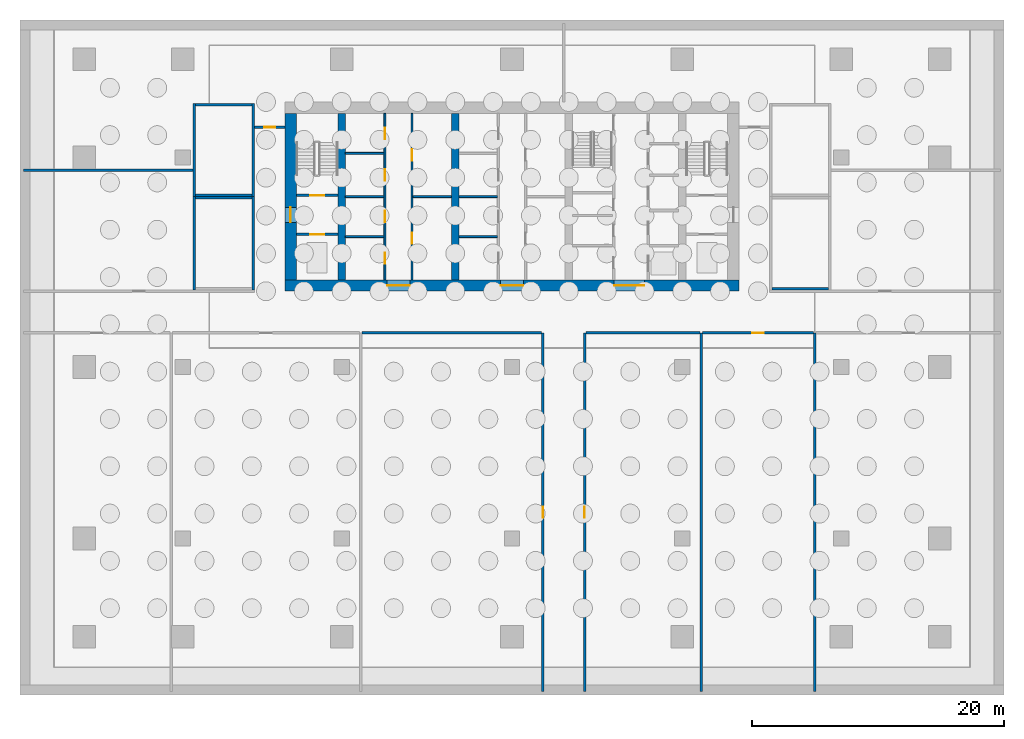
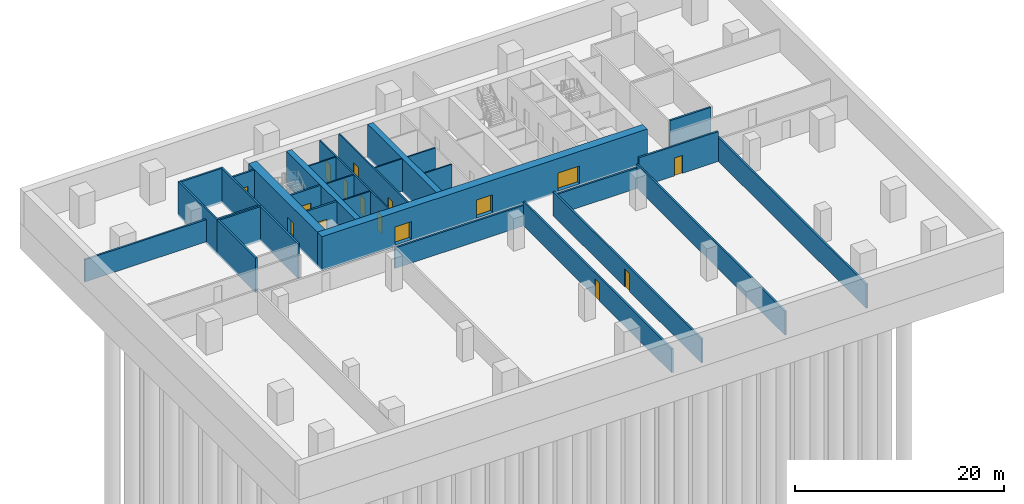
# One storey, part 5 of 10: 31 walls, 16 doors, 16 openings.
"""IFC4 building model written with IfcOpenShell, lengths in metres."""

from ifc_helpers import new_model, si_unit, direction, frame, frame_2d, origin, place, context, subcontext, project, spatial, rectangle, extrude, material, layer, layer_set, type_object, element, fill, save


model = new_model("IFC4")

# Units and contexts
model_context = context("Model", 3, precision=1e-05, world=origin(), true_north=direction((0.0, 1.0)))
body_context = subcontext(model_context, "Body", "Model", "MODEL_VIEW")
ifc_project = project(units=[si_unit("LENGTHUNIT", "METRE"), si_unit("AREAUNIT", "SQUARE_METRE"), si_unit("VOLUMEUNIT", "CUBIC_METRE"), si_unit("PLANEANGLEUNIT", "RADIAN"), si_unit("MASSUNIT", "GRAM", prefix="KILO")], contexts=[model_context])

# Site, building, storey
site_placement = place(None, origin())
site = spatial("IfcSite", under=ifc_project, at=site_placement, CompositionType="ELEMENT")
building_placement = place(site_placement, origin())
building = spatial("IfcBuilding", under=site, at=building_placement, Name="Rattan Terrace Tower", CompositionType="ELEMENT")
storey_placement = place(building_placement, frame((0.0, 0.0, -13.5)))
storey = spatial("IfcBuildingStorey", under=building, at=storey_placement, Name="B3", CompositionType="ELEMENT", Elevation=-13.5)

# Wall, openings, doors
ifc_material_1 = material(Name="Gypsum board partition")
ifc_layer_1 = layer(ifc_material_1, 0.14990234375)
ifc_layer_set_1 = layer_set([ifc_layer_1], Name="Core partition 150")
wall_type_1 = type_object("IfcWallType", Name="Core partition 150", PredefinedType="PARTITIONING", material=ifc_layer_set_1)
wall_1_placement = place(storey_placement, frame((-10.074951171875, -6.60009765625, 0.0), z_axis=(0.0, 0.0, 1.0), x_axis=(0.0, 1.0, 0.0)))
wall_1 = element("IfcWall", 1, at=wall_1_placement, inside=storey, type_object=wall_type_1, Name="Core room wall", PredefinedType="PARTITIONING", context=body_context, shape_type="SweptSolid", body=[
    extrude(rectangle(XDim=13.2001953125, YDim=0.14990234375, at=frame_2d((6.60009765625, 0.0))), origin(), (0.0, 0.0, 1.0), 3.800048828125),
])
opening_1_placement = place(wall_1_placement, frame((1.26611328125, 0.0, 0.0)))
opening_1 = element("IfcOpeningElement", 2, at=opening_1_placement, cuts=wall_1, Name="Opening B3-D005", PredefinedType="OPENING", context=body_context, shape_type="SweptSolid", body=[
    extrude(rectangle(XDim=0.89990234375, YDim=2.10009765625, at=frame_2d((0.449951171875, 1.050048828125))), frame((0.0, 0.08544921875, 0.0), z_axis=(0.0, -1.0, 0.0), x_axis=(1.0, 0.0, 0.0)), (0.0, 0.0, 1.0), 0.1708984375),
])
opening_2_placement = place(wall_1_placement, frame((4.56591796875, 0.0, 0.0)))
opening_2 = element("IfcOpeningElement", 3, at=opening_2_placement, cuts=wall_1, Name="Opening B3-D006", PredefinedType="OPENING", context=body_context, shape_type="SweptSolid", body=[
    extrude(rectangle(XDim=0.89990234375, YDim=2.10009765625, at=frame_2d((0.449951171875, 1.050048828125))), frame((0.0, 0.08544921875, 0.0), z_axis=(0.0, -1.0, 0.0), x_axis=(1.0, 0.0, 0.0)), (0.0, 0.0, 1.0), 0.1708984375),
])
opening_3_placement = place(wall_1_placement, frame((7.865966796875, 0.0, 0.0)))
opening_3 = element("IfcOpeningElement", 4, at=opening_3_placement, cuts=wall_1, Name="Opening B3-D007", PredefinedType="OPENING", context=body_context, shape_type="SweptSolid", body=[
    extrude(rectangle(XDim=0.89990234375, YDim=2.10009765625, at=frame_2d((0.449951171875, 1.050048828125))), frame((0.0, 0.08544921875, 0.0), z_axis=(0.0, -1.0, 0.0), x_axis=(1.0, 0.0, 0.0)), (0.0, 0.0, 1.0), 0.1708984375),
])
opening_4_placement = place(wall_1_placement, frame((11.166015625, 0.0, 0.0)))
opening_4 = element("IfcOpeningElement", 5, at=opening_4_placement, cuts=wall_1, Name="Opening B3-D008", PredefinedType="OPENING", context=body_context, shape_type="SweptSolid", body=[
    extrude(rectangle(XDim=0.89990234375, YDim=2.10009765625, at=frame_2d((0.449951171875, 1.050048828125))), frame((0.0, 0.08544921875, 0.0), z_axis=(0.0, -1.0, 0.0), x_axis=(1.0, 0.0, 0.0)), (0.0, 0.0, 1.0), 0.1708984375),
])
ifc_material_2 = material(Name="Hollow-metal fire door leaf")
door_type_1 = type_object("IfcDoorType", Name="Core service room door 900", OperationType="NOTDEFINED", PredefinedType="DOOR", material=ifc_material_2)
door_1_placement = place(opening_1_placement, origin())
door_1 = element("IfcDoor", 6, at=door_1_placement, inside=storey, type_object=door_type_1, Name="Door B3-D005", OperationType="SINGLE_SWING_LEFT", OverallHeight=2.10009765625, OverallWidth=0.89990234375, PredefinedType="DOOR", context=body_context, shape_type="SweptSolid", body=[
    extrude(rectangle(XDim=0.89990234375, YDim=2.10009765625, at=frame_2d((0.449951171875, 1.050048828125))), frame((0.0, 0.02490234375, 0.0), z_axis=(0.0, -1.0, 0.0), x_axis=(1.0, 0.0, 0.0)), (0.0, 0.0, 1.0), 0.050048828125),
])
fill(opening_1, door_1)
door_2_placement = place(opening_2_placement, origin())
door_2 = element("IfcDoor", 7, at=door_2_placement, inside=storey, type_object=door_type_1, Name="Door B3-D006", OperationType="SINGLE_SWING_RIGHT", OverallHeight=2.10009765625, OverallWidth=0.89990234375, PredefinedType="DOOR", context=body_context, shape_type="SweptSolid", body=[
    extrude(rectangle(XDim=0.89990234375, YDim=2.10009765625, at=frame_2d((0.449951171875, 1.050048828125))), frame((0.0, 0.02490234375, 0.0), z_axis=(0.0, -1.0, 0.0), x_axis=(1.0, 0.0, 0.0)), (0.0, 0.0, 1.0), 0.050048828125),
])
fill(opening_2, door_2)
door_3_placement = place(opening_3_placement, origin())
door_3 = element("IfcDoor", 8, at=door_3_placement, inside=storey, type_object=door_type_1, Name="Door B3-D007", OperationType="SINGLE_SWING_LEFT", OverallHeight=2.10009765625, OverallWidth=0.89990234375, PredefinedType="DOOR", context=body_context, shape_type="SweptSolid", body=[
    extrude(rectangle(XDim=0.89990234375, YDim=2.10009765625, at=frame_2d((0.449951171875, 1.050048828125))), frame((0.0, 0.02490234375, 0.0), z_axis=(0.0, -1.0, 0.0), x_axis=(1.0, 0.0, 0.0)), (0.0, 0.0, 1.0), 0.050048828125),
])
fill(opening_3, door_3)
door_4_placement = place(opening_4_placement, origin())
door_4 = element("IfcDoor", 9, at=door_4_placement, inside=storey, type_object=door_type_1, Name="Door B3-D008", OperationType="SINGLE_SWING_RIGHT", OverallHeight=2.10009765625, OverallWidth=0.89990234375, PredefinedType="DOOR", context=body_context, shape_type="SweptSolid", body=[
    extrude(rectangle(XDim=0.89990234375, YDim=2.10009765625, at=frame_2d((0.449951171875, 1.050048828125))), frame((0.0, 0.02490234375, 0.0), z_axis=(0.0, -1.0, 0.0), x_axis=(1.0, 0.0, 0.0)), (0.0, 0.0, 1.0), 0.050048828125),
])
fill(opening_4, door_4)

# Walls
for number, where, z_axis, x_axis, name in (
    (10, (-13.199951171875, -3.16796875, 0.0), (0.0, 0.0, 1.0), (1.0, 0.0, 0.0), "Core room wall"),
    (11, (-13.199951171875, 0.0, 0.0), (0.0, 0.0, 1.0), (1.0, 0.0, 0.0), "Core room wall"),
    (12, (-13.199951171875, 3.431884765625, 0.0), (0.0, 0.0, 1.0), (1.0, 0.0, 0.0), "Core room wall"),
):
    element("IfcWall", number, at=place(storey_placement, frame(where, z_axis=z_axis, x_axis=x_axis)), inside=storey, type_object=wall_type_1, Name=name, PredefinedType="PARTITIONING", context=body_context, shape_type="SweptSolid", body=[
        extrude(rectangle(XDim=3.050048828125, YDim=0.14990234375, at=frame_2d((1.52490234375, 0.0))), origin(), (0.0, 0.0, 1.0), 3.800048828125),
    ])

# Wall, openings, doors
wall_2_placement = place(storey_placement, frame((-7.925048828125, -6.60009765625, 0.0), z_axis=(0.0, 0.0, 1.0), x_axis=(0.0, 1.0, 0.0)))
wall_2 = element("IfcWall", 13, at=wall_2_placement, inside=storey, type_object=wall_type_1, Name="Core room wall", PredefinedType="PARTITIONING", context=body_context, shape_type="SweptSolid", body=[
    extrude(rectangle(XDim=13.2001953125, YDim=0.14990234375, at=frame_2d((6.60009765625, 0.0))), origin(), (0.0, 0.0, 1.0), 3.800048828125),
])
opening_5_placement = place(wall_2_placement, frame((2.85009765625, 0.0, 0.0)))
opening_5 = element("IfcOpeningElement", 14, at=opening_5_placement, cuts=wall_2, Name="Opening B3-D009", PredefinedType="OPENING", context=body_context, shape_type="SweptSolid", body=[
    extrude(rectangle(XDim=0.89990234375, YDim=2.10009765625, at=frame_2d((0.449951171875, 1.050048828125))), frame((0.0, 0.08544921875, 0.0), z_axis=(0.0, -1.0, 0.0), x_axis=(1.0, 0.0, 0.0)), (0.0, 0.0, 1.0), 0.1708984375),
])
opening_6_placement = place(wall_2_placement, frame((9.449951171875, 0.0, 0.0)))
opening_6 = element("IfcOpeningElement", 15, at=opening_6_placement, cuts=wall_2, Name="Opening B3-D010", PredefinedType="OPENING", context=body_context, shape_type="SweptSolid", body=[
    extrude(rectangle(XDim=0.89990234375, YDim=2.10009765625, at=frame_2d((0.449951171875, 1.050048828125))), frame((0.0, 0.08544921875, 0.0), z_axis=(0.0, -1.0, 0.0), x_axis=(1.0, 0.0, 0.0)), (0.0, 0.0, 1.0), 0.1708984375),
])
door_5_placement = place(opening_5_placement, origin())
door_5 = element("IfcDoor", 16, at=door_5_placement, inside=storey, type_object=door_type_1, Name="Door B3-D009", OperationType="SINGLE_SWING_LEFT", OverallHeight=2.10009765625, OverallWidth=0.89990234375, PredefinedType="DOOR", context=body_context, shape_type="SweptSolid", body=[
    extrude(rectangle(XDim=0.89990234375, YDim=2.10009765625, at=frame_2d((0.449951171875, 1.050048828125))), frame((0.0, 0.02490234375, 0.0), z_axis=(0.0, -1.0, 0.0), x_axis=(1.0, 0.0, 0.0)), (0.0, 0.0, 1.0), 0.050048828125),
])
fill(opening_5, door_5)
door_6_placement = place(opening_6_placement, origin())
door_6 = element("IfcDoor", 17, at=door_6_placement, inside=storey, type_object=door_type_1, Name="Door B3-D010", OperationType="SINGLE_SWING_RIGHT", OverallHeight=2.10009765625, OverallWidth=0.89990234375, PredefinedType="DOOR", context=body_context, shape_type="SweptSolid", body=[
    extrude(rectangle(XDim=0.89990234375, YDim=2.10009765625, at=frame_2d((0.449951171875, 1.050048828125))), frame((0.0, 0.02490234375, 0.0), z_axis=(0.0, -1.0, 0.0), x_axis=(1.0, 0.0, 0.0)), (0.0, 0.0, 1.0), 0.050048828125),
])
fill(opening_6, door_6)

# Walls
for number, where, z_axis, x_axis, name in (
    (18, (-7.85009765625, 0.0, 0.0), (0.0, 0.0, 1.0), (1.0, 0.0, 0.0), "Core room wall"),
    (19, (-4.199951171875, -3.16796875, 0.0), (0.0, 0.0, 1.0), (1.0, 0.0, 0.0), "Core room wall"),
    (20, (-4.199951171875, 0.0, 0.0), (0.0, 0.0, 1.0), (1.0, 0.0, 0.0), "Core room wall"),
):
    element("IfcWall", number, at=place(storey_placement, frame(where, z_axis=z_axis, x_axis=x_axis)), inside=storey, type_object=wall_type_1, Name=name, PredefinedType="PARTITIONING", context=body_context, shape_type="SweptSolid", body=[
        extrude(rectangle(XDim=3.050048828125, YDim=0.14990234375, at=frame_2d((1.52490234375, 0.0))), origin(), (0.0, 0.0, 1.0), 3.800048828125),
    ])

# Wall, opening, door
ifc_material_3 = material(Name="Gypsum board partition")
ifc_layer_2 = layer(ifc_material_3, 0.199951171875)
ifc_layer_set_2 = layer_set([ifc_layer_2], Name="Core partition 200")
wall_type_2 = type_object("IfcWallType", Name="Core partition 200", PredefinedType="PARTITIONING", material=ifc_layer_set_2)
wall_3_placement = place(storey_placement, frame((-17.10009765625, -3.0, 0.0), z_axis=(0.0, 0.0, 1.0), x_axis=(1.0, 0.0, 0.0)))
wall_3 = element("IfcWall", 21, at=wall_3_placement, inside=storey, type_object=wall_type_2, Name="Fire-fighting lobby wall", PredefinedType="PARTITIONING", context=body_context, shape_type="SweptSolid", body=[
    extrude(rectangle(XDim=3.300048828125, YDim=0.199951171875, at=frame_2d((1.64990234375, 0.0))), origin(), (0.0, 0.0, 1.0), 3.800048828125),
])
opening_7_placement = place(wall_3_placement, frame((1.10009765625, 0.0, 0.0)))
opening_7 = element("IfcOpeningElement", 22, at=opening_7_placement, cuts=wall_3, Name="Opening B3-LD-FF1", PredefinedType="OPENING", context=body_context, shape_type="SweptSolid", body=[
    extrude(rectangle(XDim=1.10009765625, YDim=2.10009765625, at=frame_2d((0.550048828125, 1.050048828125))), frame((0.0, 0.110595703125, 0.0), z_axis=(0.0, -1.0, 0.0), x_axis=(1.0, 0.0, 0.0)), (0.0, 0.0, 1.0), 0.220947265625),
])
ifc_material_4 = material(Name="Brushed stainless landing door panel")
door_type_2 = type_object("IfcDoorType", Name="Core lift landing door 1100", OperationType="DOUBLE_DOOR_SLIDING", PredefinedType="DOOR", material=ifc_material_4)
door_7_placement = place(opening_7_placement, origin())
door_7 = element("IfcDoor", 23, at=door_7_placement, inside=storey, type_object=door_type_2, Name="Door B3-LD-FF1", OperationType="DOUBLE_DOOR_SLIDING", OverallHeight=2.10009765625, OverallWidth=1.10009765625, PredefinedType="DOOR", context=body_context, shape_type="SweptSolid", body=[
    extrude(rectangle(XDim=1.10009765625, YDim=2.10009765625, at=frame_2d((0.550048828125, 1.050048828125))), frame((0.0, 0.02490234375, 0.0), z_axis=(0.0, -1.0, 0.0), x_axis=(1.0, 0.0, 0.0)), (0.0, 0.0, 1.0), 0.050048828125),
])
fill(opening_7, door_7)

wall_4_placement = place(storey_placement, frame((-17.10009765625, 0.10009765625, 0.0), z_axis=(0.0, 0.0, 1.0), x_axis=(1.0, 0.0, 0.0)))
wall_4 = element("IfcWall", 24, at=wall_4_placement, inside=storey, type_object=wall_type_2, Name="Stair enclosure wall", PredefinedType="PARTITIONING", context=body_context, shape_type="SweptSolid", body=[
    extrude(rectangle(XDim=3.300048828125, YDim=0.199951171875, at=frame_2d((1.64990234375, 0.0))), origin(), (0.0, 0.0, 1.0), 3.800048828125),
])
opening_8_placement = place(wall_4_placement, frame((1.10009765625, 0.0, 0.0)))
opening_8 = element("IfcOpeningElement", 25, at=opening_8_placement, cuts=wall_4, Name="Opening B3-D002", PredefinedType="OPENING", context=body_context, shape_type="SweptSolid", body=[
    extrude(rectangle(XDim=1.10009765625, YDim=2.10009765625, at=frame_2d((0.550048828125, 1.050048828125))), frame((0.0, 0.110595703125, 0.0), z_axis=(0.0, -1.0, 0.0), x_axis=(1.0, 0.0, 0.0)), (0.0, 0.0, 1.0), 0.220947265625),
])
ifc_material_5 = material(Name="Hollow-metal fire door leaf")
door_type_3 = type_object("IfcDoorType", Name="Core stair door 1100", OperationType="NOTDEFINED", PredefinedType="DOOR", material=ifc_material_5)
door_8_placement = place(opening_8_placement, origin())
door_8 = element("IfcDoor", 26, at=door_8_placement, inside=storey, type_object=door_type_3, Name="Door B3-D002", OperationType="SINGLE_SWING_RIGHT", OverallHeight=2.10009765625, OverallWidth=1.10009765625, PredefinedType="DOOR", context=body_context, shape_type="SweptSolid", body=[
    extrude(rectangle(XDim=1.10009765625, YDim=2.10009765625, at=frame_2d((0.550048828125, 1.050048828125))), frame((0.0, 0.02490234375, 0.0), z_axis=(0.0, -1.0, 0.0), x_axis=(1.0, 0.0, 0.0)), (0.0, 0.0, 1.0), 0.050048828125),
])
fill(opening_8, door_8)

# Wall, openings, doors
ifc_material_6 = material(Name="Concrete C70/85", Category="concrete")
ifc_layer_3 = layer(ifc_material_6, 0.89990234375)
ifc_layer_set_3 = layer_set([ifc_layer_3], Name="Core ring wall 900 C70/85")
wall_type_3 = type_object("IfcWallType", Name="Core ring wall 900 C70/85", PredefinedType="SHEAR", material=ifc_layer_set_3)
wall_5_placement = place(storey_placement, frame((-18.0, -7.050048828125, -0.199951171875), z_axis=(0.0, 0.0, 1.0), x_axis=(1.0, 0.0, 0.0)))
wall_5 = element("IfcWall", 27, at=wall_5_placement, inside=storey, type_object=wall_type_3, Name="Rear core wall south", PredefinedType="SHEAR", context=body_context, shape_type="SweptSolid", body=[
    extrude(rectangle(XDim=36.0, YDim=0.89990234375, at=frame_2d((18.0, 0.0))), origin(), (0.0, 0.0, 1.0), 4.0),
])
opening_9_placement = place(wall_5_placement, frame((8.10009765625, 0.0, 0.199951171875)))
opening_9 = element("IfcOpeningElement", 28, at=opening_9_placement, cuts=wall_5, Name="Opening B3-D011", PredefinedType="OPENING", context=body_context, shape_type="SweptSolid", body=[
    extrude(rectangle(XDim=1.800048828125, YDim=2.10009765625, at=frame_2d((0.89990234375, 1.050048828125))), frame((0.0, 0.46044921875, 0.0), z_axis=(0.0, -1.0, 0.0), x_axis=(1.0, 0.0, 0.0)), (0.0, 0.0, 1.0), 0.9208984375),
])
opening_10_placement = place(wall_5_placement, frame((17.10009765625, 0.0, 0.199951171875)))
opening_10 = element("IfcOpeningElement", 29, at=opening_10_placement, cuts=wall_5, Name="Opening B3-D018", PredefinedType="OPENING", context=body_context, shape_type="SweptSolid", body=[
    extrude(rectangle(XDim=1.800048828125, YDim=2.10009765625, at=frame_2d((0.89990234375, 1.050048828125))), frame((0.0, 0.46044921875, 0.0), z_axis=(0.0, -1.0, 0.0), x_axis=(1.0, 0.0, 0.0)), (0.0, 0.0, 1.0), 0.9208984375),
])
opening_11_placement = place(wall_5_placement, frame((26.10009765625, 0.0, 0.199951171875)))
opening_11 = element("IfcOpeningElement", 30, at=opening_11_placement, cuts=wall_5, Name="Opening B3-D023", PredefinedType="OPENING", context=body_context, shape_type="SweptSolid", body=[
    extrude(rectangle(XDim=2.39990234375, YDim=2.10009765625, at=frame_2d((1.199951171875, 1.050048828125))), frame((0.0, 0.46044921875, 0.0), z_axis=(0.0, -1.0, 0.0), x_axis=(1.0, 0.0, 0.0)), (0.0, 0.0, 1.0), 0.9208984375),
])
ifc_material_7 = material(Name="Hollow-metal fire door leaf")
door_type_4 = type_object("IfcDoorType", Name="Core lift lobby door 2400", OperationType="NOTDEFINED", PredefinedType="DOOR", material=ifc_material_7)
door_9_placement = place(opening_11_placement, origin())
door_9 = element("IfcDoor", 31, at=door_9_placement, inside=storey, type_object=door_type_4, Name="Door B3-D023", OperationType="DOUBLE_DOOR_DOUBLE_SWING", OverallHeight=2.10009765625, OverallWidth=2.39990234375, PredefinedType="DOOR", context=body_context, shape_type="SweptSolid", body=[
    extrude(rectangle(XDim=2.39990234375, YDim=2.10009765625, at=frame_2d((1.199951171875, 1.050048828125))), frame((0.0, 0.02490234375, 0.0), z_axis=(0.0, -1.0, 0.0), x_axis=(1.0, 0.0, 0.0)), (0.0, 0.0, 1.0), 0.050048828125),
])
fill(opening_11, door_9)
ifc_material_8 = material(Name="Hollow-metal fire door leaf")
door_type_5 = type_object("IfcDoorType", Name="Core service room door 1800", OperationType="NOTDEFINED", PredefinedType="DOOR", material=ifc_material_8)
door_10_placement = place(opening_9_placement, origin())
door_10 = element("IfcDoor", 32, at=door_10_placement, inside=storey, type_object=door_type_5, Name="Door B3-D011", OperationType="SINGLE_SWING_LEFT", OverallHeight=2.10009765625, OverallWidth=1.800048828125, PredefinedType="DOOR", context=body_context, shape_type="SweptSolid", body=[
    extrude(rectangle(XDim=1.800048828125, YDim=2.10009765625, at=frame_2d((0.89990234375, 1.050048828125))), frame((0.0, 0.02490234375, 0.0), z_axis=(0.0, -1.0, 0.0), x_axis=(1.0, 0.0, 0.0)), (0.0, 0.0, 1.0), 0.050048828125),
])
fill(opening_9, door_10)
door_11_placement = place(opening_10_placement, origin())
door_11 = element("IfcDoor", 33, at=door_11_placement, inside=storey, type_object=door_type_5, Name="Door B3-D018", OperationType="SINGLE_SWING_RIGHT", OverallHeight=2.10009765625, OverallWidth=1.800048828125, PredefinedType="DOOR", context=body_context, shape_type="SweptSolid", body=[
    extrude(rectangle(XDim=1.800048828125, YDim=2.10009765625, at=frame_2d((0.89990234375, 1.050048828125))), frame((0.0, 0.02490234375, 0.0), z_axis=(0.0, -1.0, 0.0), x_axis=(1.0, 0.0, 0.0)), (0.0, 0.0, 1.0), 0.050048828125),
])
fill(opening_10, door_11)

# Wall, opening, door
wall_6_placement = place(storey_placement, frame((-17.550048828125, -6.60009765625, -0.199951171875), z_axis=(0.0, 0.0, 1.0), x_axis=(0.0, 1.0, 0.0)))
wall_6 = element("IfcWall", 34, at=wall_6_placement, inside=storey, type_object=wall_type_3, Name="Rear core wall west", PredefinedType="SHEAR", context=body_context, shape_type="SweptSolid", body=[
    extrude(rectangle(XDim=13.2001953125, YDim=0.89990234375, at=frame_2d((6.60009765625, 0.0))), origin(), (0.0, 0.0, 1.0), 4.0),
])
opening_12_placement = place(wall_6_placement, frame((4.550048828125, 0.0, 0.199951171875)))
opening_12 = element("IfcOpeningElement", 35, at=opening_12_placement, cuts=wall_6, Name="Opening B3-D001", PredefinedType="OPENING", context=body_context, shape_type="SweptSolid", body=[
    extrude(rectangle(XDim=1.199951171875, YDim=2.10009765625, at=frame_2d((0.60009765625, 1.050048828125))), frame((0.0, 0.46044921875, 0.0), z_axis=(0.0, -1.0, 0.0), x_axis=(1.0, 0.0, 0.0)), (0.0, 0.0, 1.0), 0.9208984375),
])
ifc_material_9 = material(Name="Hollow-metal fire door leaf")
door_type_6 = type_object("IfcDoorType", Name="Core fire-fighting lobby door 1200", OperationType="NOTDEFINED", PredefinedType="DOOR", material=ifc_material_9)
door_12_placement = place(opening_12_placement, origin())
door_12 = element("IfcDoor", 36, at=door_12_placement, inside=storey, type_object=door_type_6, Name="Door B3-D001", OperationType="SINGLE_SWING_LEFT", OverallHeight=2.10009765625, OverallWidth=1.199951171875, PredefinedType="DOOR", context=body_context, shape_type="SweptSolid", body=[
    extrude(rectangle(XDim=1.199951171875, YDim=2.10009765625, at=frame_2d((0.60009765625, 1.050048828125))), frame((0.0, 0.02490234375, 0.0), z_axis=(0.0, -1.0, 0.0), x_axis=(1.0, 0.0, 0.0)), (0.0, 0.0, 1.0), 0.050048828125),
])
fill(opening_12, door_12)

# Walls
ifc_material_10 = material(Name="Concrete C70/85", Category="concrete")
ifc_layer_4 = layer(ifc_material_10, 0.60009765625)
ifc_layer_set_4 = layer_set([ifc_layer_4], Name="Core spine wall 600 C70/85")
wall_type_4 = type_object("IfcWallType", Name="Core spine wall 600 C70/85", PredefinedType="SHEAR", material=ifc_layer_set_4)
for number, where, z_axis, x_axis, name in (
    (37, (-13.5, -6.60009765625, -0.199951171875), (0.0, 0.0, 1.0), (0.0, 1.0, 0.0), "Core spine wall 1"),
    (38, (-4.5, -6.60009765625, -0.199951171875), (0.0, 0.0, 1.0), (0.0, 1.0, 0.0), "Core spine wall 2"),
):
    element("IfcWall", number, at=place(storey_placement, frame(where, z_axis=z_axis, x_axis=x_axis)), inside=storey, type_object=wall_type_4, Name=name, PredefinedType="SHEAR", context=body_context, shape_type="SweptSolid", body=[
        extrude(rectangle(XDim=13.2001953125, YDim=0.60009765625, at=frame_2d((6.60009765625, 0.0))), origin(), (0.0, 0.0, 1.0), 4.0),
    ])
ifc_material_11 = material(Name="Concrete block wall, plastered", Category="concrete")
ifc_layer_5 = layer(ifc_material_11, 0.199951171875)
ifc_layer_set_5 = layer_set([ifc_layer_5], Name="Floors Plant Wall 200")
wall_type_5 = type_object("IfcWallType", Name="Floors Plant Wall 200", PredefinedType="PARTITIONING", material=ifc_layer_set_5)
wall_7_placement = place(storey_placement, frame((2.35009765625, -10.800048828125, 0.0), z_axis=(0.0, 0.0, 1.0), x_axis=(-1.0, 0.0, 0.0)))
element("IfcWall", 39, at=wall_7_placement, inside=storey, type_object=wall_type_5, Name="pt-B3-003", PredefinedType="PARTITIONING", context=body_context, shape_type="SweptSolid", body=[
    extrude(rectangle(XDim=14.25, YDim=0.199951171875, at=frame_2d((7.125, 0.0))), origin(), (0.0, 0.0, 1.0), 2.39990234375),
])

# Wall, opening, door
wall_8_placement = place(storey_placement, frame((2.449951171875, -39.239990234375, 0.0), z_axis=(0.0, 0.0, 1.0), x_axis=(0.0, 1.0, 0.0)))
wall_8 = element("IfcWall", 40, at=wall_8_placement, inside=storey, type_object=wall_type_5, Name="pt-B3-004", PredefinedType="PARTITIONING", context=body_context, shape_type="SweptSolid", body=[
    extrude(rectangle(XDim=28.43994140625, YDim=0.199951171875, at=frame_2d((14.219970703125, 0.0))), origin(), (0.0, 0.0, 1.0), 2.800048828125),
])
opening_13_placement = place(wall_8_placement, frame((13.77001953125, 0.0, 0.0)))
opening_13 = element("IfcOpeningElement", 41, at=opening_13_placement, cuts=wall_8, Name="Opening B3-D102", PredefinedType="OPENING", context=body_context, shape_type="SweptSolid", body=[
    extrude(rectangle(XDim=0.89990234375, YDim=2.10009765625, at=frame_2d((0.449951171875, 1.050048828125))), frame((0.0, 0.110595703125, 0.0), z_axis=(0.0, -1.0, 0.0), x_axis=(1.0, 0.0, 0.0)), (0.0, 0.0, 1.0), 0.220947265625),
])
ifc_material_12 = material(Name="Steel fire door set", Category="steel")
door_type_7 = type_object("IfcDoorType", Name="Floors Fire Door FD60 900x2100", OperationType="NOTDEFINED", PredefinedType="DOOR", material=ifc_material_12)
door_13_placement = place(opening_13_placement, origin())
door_13 = element("IfcDoor", 42, at=door_13_placement, inside=storey, type_object=door_type_7, Name="d-B3-102", OperationType="SINGLE_SWING_LEFT", OverallHeight=2.10009765625, OverallWidth=0.89990234375, PredefinedType="DOOR", context=body_context, shape_type="SweptSolid", body=[
    extrude(rectangle(XDim=0.89990234375, YDim=2.10009765625, at=frame_2d((0.449951171875, 1.050048828125))), frame((0.0, 0.02490234375, 0.0), z_axis=(0.0, -1.0, 0.0), x_axis=(1.0, 0.0, 0.0)), (0.0, 0.0, 1.0), 0.050048828125),
])
fill(opening_13, door_13)

wall_9_placement = place(storey_placement, frame((5.75, -10.800048828125, 0.0), z_axis=(0.0, 0.0, 1.0), x_axis=(0.0, -1.0, 0.0)))
wall_9 = element("IfcWall", 43, at=wall_9_placement, inside=storey, type_object=wall_type_5, Name="pt-B3-005", PredefinedType="PARTITIONING", context=body_context, shape_type="SweptSolid", body=[
    extrude(rectangle(XDim=28.43994140625, YDim=0.199951171875, at=frame_2d((14.219970703125, 0.0))), origin(), (0.0, 0.0, 1.0), 2.800048828125),
])
opening_14_placement = place(wall_9_placement, frame((13.77001953125, 0.0, 0.0)))
opening_14 = element("IfcOpeningElement", 44, at=opening_14_placement, cuts=wall_9, Name="Opening B3-D103", PredefinedType="OPENING", context=body_context, shape_type="SweptSolid", body=[
    extrude(rectangle(XDim=0.89990234375, YDim=2.10009765625, at=frame_2d((0.449951171875, 1.050048828125))), frame((0.0, 0.110595703125, 0.0), z_axis=(0.0, -1.0, 0.0), x_axis=(1.0, 0.0, 0.0)), (0.0, 0.0, 1.0), 0.220947265625),
])
door_14_placement = place(opening_14_placement, origin())
door_14 = element("IfcDoor", 45, at=door_14_placement, inside=storey, type_object=door_type_7, Name="d-B3-103", OperationType="SINGLE_SWING_RIGHT", OverallHeight=2.10009765625, OverallWidth=0.89990234375, PredefinedType="DOOR", context=body_context, shape_type="SweptSolid", body=[
    extrude(rectangle(XDim=0.89990234375, YDim=2.10009765625, at=frame_2d((0.449951171875, 1.050048828125))), frame((0.0, 0.02490234375, 0.0), z_axis=(0.0, -1.0, 0.0), x_axis=(1.0, 0.0, 0.0)), (0.0, 0.0, 1.0), 0.050048828125),
])
fill(opening_14, door_14)

# Wall
wall_10_placement = place(storey_placement, frame((14.89990234375, -10.799072265625, 0.0), z_axis=(0.0, 0.0, 1.0), x_axis=(-1.0, 0.0, 0.0)))
element("IfcWall", 46, at=wall_10_placement, inside=storey, type_object=wall_type_5, Name="pt-B3-006", PredefinedType="PARTITIONING", context=body_context, shape_type="SweptSolid", body=[
    extrude(rectangle(XDim=9.0498046875, YDim=0.199951171875, at=frame_2d((4.52490234375, 0.0))), origin(), (0.0, 0.0, 1.0), 2.39990234375),
])

# Wall, opening, door
wall_11_placement = place(storey_placement, frame((23.89990234375, -10.800048828125, 0.0), z_axis=(0.0, 0.0, 1.0), x_axis=(-1.0, 0.0, 0.0)))
wall_11 = element("IfcWall", 47, at=wall_11_placement, inside=storey, type_object=wall_type_5, Name="pt-B3-007", PredefinedType="PARTITIONING", context=body_context, shape_type="SweptSolid", body=[
    extrude(rectangle(XDim=8.7998046875, YDim=0.199951171875, at=frame_2d((4.39990234375, 0.0))), origin(), (0.0, 0.0, 1.0), 3.5),
])
opening_15_placement = place(wall_11_placement, frame((3.949951171875, 0.0, 0.0)))
opening_15 = element("IfcOpeningElement", 48, at=opening_15_placement, cuts=wall_11, Name="Opening B3-D104", PredefinedType="OPENING", context=body_context, shape_type="SweptSolid", body=[
    extrude(rectangle(XDim=0.89990234375, YDim=2.10009765625, at=frame_2d((0.449951171875, 1.050048828125))), frame((0.0, 0.110595703125, 0.0), z_axis=(0.0, -1.0, 0.0), x_axis=(1.0, 0.0, 0.0)), (0.0, 0.0, 1.0), 0.220947265625),
])
door_15_placement = place(opening_15_placement, origin())
door_15 = element("IfcDoor", 49, at=door_15_placement, inside=storey, type_object=door_type_7, Name="d-B3-104", OperationType="SINGLE_SWING_LEFT", OverallHeight=2.10009765625, OverallWidth=0.89990234375, PredefinedType="DOOR", context=body_context, shape_type="SweptSolid", body=[
    extrude(rectangle(XDim=0.89990234375, YDim=2.10009765625, at=frame_2d((0.449951171875, 1.050048828125))), frame((0.0, 0.02490234375, 0.0), z_axis=(0.0, -1.0, 0.0), x_axis=(1.0, 0.0, 0.0)), (0.0, 0.0, 1.0), 0.050048828125),
])
fill(opening_15, door_15)

wall_12_placement = place(storey_placement, frame((-20.39990234375, 5.5, 0.0), z_axis=(0.0, 0.0, 1.0), x_axis=(1.0, 0.0, 0.0)))
wall_12 = element("IfcWall", 50, at=wall_12_placement, inside=storey, type_object=wall_type_5, Name="pt-B3-010", PredefinedType="PARTITIONING", context=body_context, shape_type="SweptSolid", body=[
    extrude(rectangle(XDim=2.39990234375, YDim=0.199951171875, at=frame_2d((1.199951171875, 0.0))), origin(), (0.0, 0.0, 1.0), 3.800048828125),
])
opening_16_placement = place(wall_12_placement, frame((0.75, 0.0, 0.0)))
opening_16 = element("IfcOpeningElement", 51, at=opening_16_placement, cuts=wall_12, Name="Opening B3-D107", PredefinedType="OPENING", context=body_context, shape_type="SweptSolid", body=[
    extrude(rectangle(XDim=0.89990234375, YDim=2.10009765625, at=frame_2d((0.449951171875, 1.050048828125))), frame((0.0, 0.110595703125, 0.0), z_axis=(0.0, -1.0, 0.0), x_axis=(1.0, 0.0, 0.0)), (0.0, 0.0, 1.0), 0.220947265625),
])
door_16_placement = place(opening_16_placement, origin())
door_16 = element("IfcDoor", 52, at=door_16_placement, inside=storey, type_object=door_type_7, Name="d-B3-107", OperationType="SINGLE_SWING_RIGHT", OverallHeight=2.10009765625, OverallWidth=0.89990234375, PredefinedType="DOOR", context=body_context, shape_type="SweptSolid", body=[
    extrude(rectangle(XDim=0.89990234375, YDim=2.10009765625, at=frame_2d((0.449951171875, 1.050048828125))), frame((0.0, 0.02490234375, 0.0), z_axis=(0.0, -1.0, 0.0), x_axis=(1.0, 0.0, 0.0)), (0.0, 0.0, 1.0), 0.050048828125),
])
fill(opening_16, door_16)

# Walls
for number, where, z_axis, x_axis, name in (
    (53, (15.0, -10.800048828125, 0.0), (0.0, 0.0, 1.0), (0.0, -1.0, 0.0), "pt-B3-015"),
    (54, (24.0, -10.800048828125, 0.0), (0.0, 0.0, 1.0), (0.0, -1.0, 0.0), "pt-B3-016"),
):
    element("IfcWall", number, at=place(storey_placement, frame(where, z_axis=z_axis, x_axis=x_axis)), inside=storey, type_object=wall_type_5, Name=name, PredefinedType="PARTITIONING", context=body_context, shape_type="SweptSolid", body=[
        extrude(rectangle(XDim=28.43994140625, YDim=0.199951171875, at=frame_2d((14.219970703125, 0.0))), origin(), (0.0, 0.0, 1.0), 2.800048828125),
    ])
wall_13_placement = place(storey_placement, frame((-38.739990234375, 2.10888671875, 0.0), z_axis=(0.0, 0.0, 1.0), x_axis=(1.0, 0.0, 0.0)))
element("IfcWall", 55, at=wall_13_placement, inside=storey, type_object=wall_type_5, Name="pt-B3-017", PredefinedType="PARTITIONING", context=body_context, shape_type="SweptSolid", body=[
    extrude(rectangle(XDim=13.43994140625, YDim=0.199951171875, at=frame_2d((6.719970703125, 0.0))), origin(), (0.0, 0.0, 1.0), 2.60009765625),
])
ifc_material_13 = material(Name="Concrete C40/50", Category="concrete")
ifc_layer_6 = layer(ifc_material_13, 0.199951171875)
ifc_layer_set_6 = layer_set([ifc_layer_6], Name="Podium exit stair shaft wall 200")
wall_type_6 = type_object("IfcWallType", Name="Podium exit stair shaft wall 200", PredefinedType="SHEAR", material=ifc_layer_set_6)
for number, where, z_axis, x_axis, name in (
    (56, (-20.5, 0.0, -0.25), (0.0, 0.0, 1.0), (0.0, -1.0, 0.0), "B3 stair S4 shaft wall"),
    (57, (-25.199951171875, -7.39990234375, -0.25), (0.0, 0.0, 1.0), (0.0, 1.0, 0.0), "B3 stair S4 shaft wall"),
):
    element("IfcWall", number, at=place(storey_placement, frame(where, z_axis=z_axis, x_axis=x_axis)), inside=storey, type_object=wall_type_6, Name=name, PredefinedType="SHEAR", context=body_context, shape_type="SweptSolid", body=[
        extrude(rectangle(XDim=7.39990234375, YDim=0.199951171875, at=frame_2d((3.699951171875, 0.0))), origin(), (0.0, 0.0, 1.0), 4.050048828125),
    ])
wall_14_placement = place(storey_placement, frame((-25.10009765625, -0.10009765625, -0.25), z_axis=(0.0, 0.0, 1.0), x_axis=(1.0, 0.0, 0.0)))
element("IfcWall", 58, at=wall_14_placement, inside=storey, type_object=wall_type_6, Name="B3 stair S4 shaft wall", PredefinedType="SHEAR", context=body_context, shape_type="SweptSolid", body=[
    extrude(rectangle(XDim=4.5, YDim=0.199951171875, at=frame_2d((2.25, 0.0))), origin(), (0.0, 0.0, 1.0), 4.050048828125),
])
for number, where, z_axis, x_axis, name in (
    (59, (-20.5, 7.39990234375, -0.25), (0.0, 0.0, 1.0), (0.0, -1.0, 0.0), "B3 stair S5 shaft wall"),
    (60, (-25.199951171875, 0.0, -0.25), (0.0, 0.0, 1.0), (0.0, 1.0, 0.0), "B3 stair S5 shaft wall"),
):
    element("IfcWall", number, at=place(storey_placement, frame(where, z_axis=z_axis, x_axis=x_axis)), inside=storey, type_object=wall_type_6, Name=name, PredefinedType="SHEAR", context=body_context, shape_type="SweptSolid", body=[
        extrude(rectangle(XDim=7.39990234375, YDim=0.199951171875, at=frame_2d((3.699951171875, 0.0))), origin(), (0.0, 0.0, 1.0), 4.050048828125),
    ])
for number, where, z_axis, x_axis, name in (
    (61, (-25.10009765625, 7.300048828125, -0.25), (0.0, 0.0, 1.0), (1.0, 0.0, 0.0), "B3 stair S5 shaft wall"),
    (62, (-25.10009765625, 0.10009765625, -0.25), (0.0, 0.0, 1.0), (1.0, 0.0, 0.0), "B3 stair S5 shaft wall"),
    (63, (20.60009765625, -7.300048828125, -0.25), (0.0, 0.0, 1.0), (1.0, 0.0, 0.0), "B3 stair S6 shaft wall"),
):
    element("IfcWall", number, at=place(storey_placement, frame(where, z_axis=z_axis, x_axis=x_axis)), inside=storey, type_object=wall_type_6, Name=name, PredefinedType="SHEAR", context=body_context, shape_type="SweptSolid", body=[
        extrude(rectangle(XDim=4.5, YDim=0.199951171875, at=frame_2d((2.25, 0.0))), origin(), (0.0, 0.0, 1.0), 4.050048828125),
    ])

save(model, "model.ifc")
